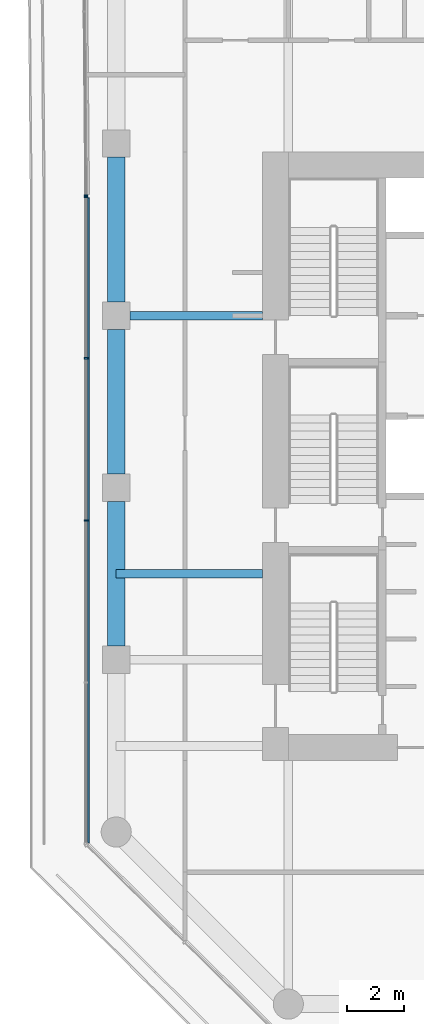
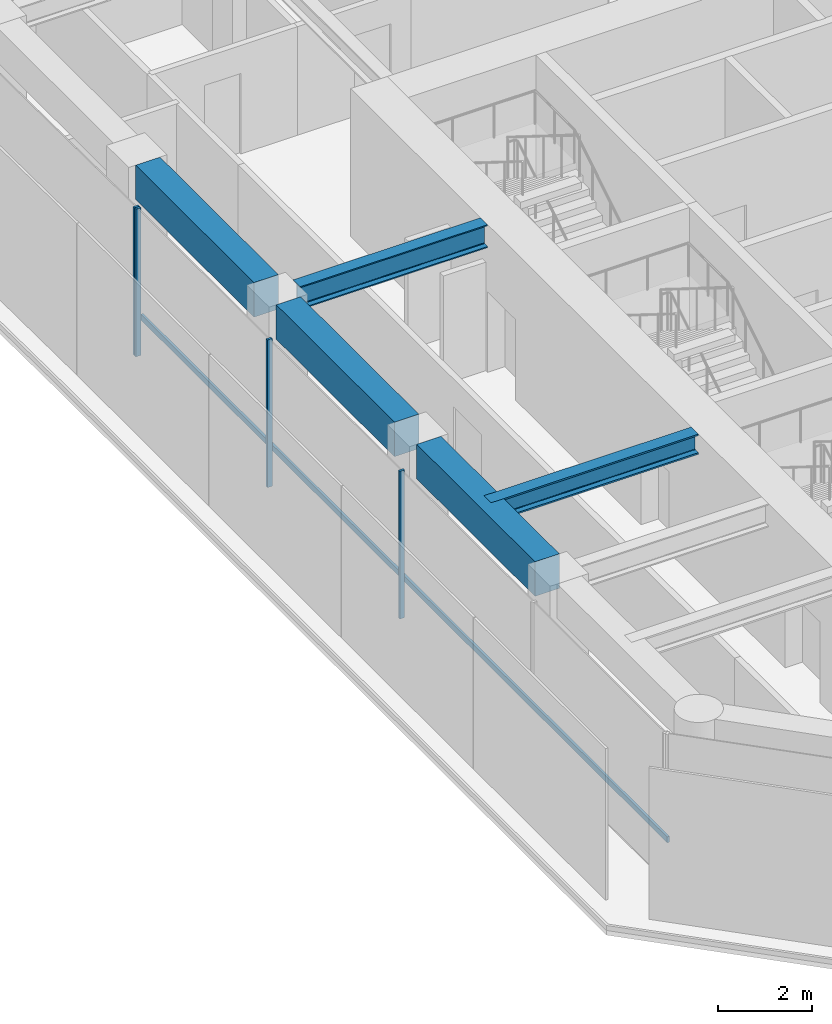
# One storey, part 4 of 28: 5 beams, 5 members, 2 elements without a shape of their own.
"""IFC4 building model written with IfcOpenShell, lengths in metres."""

from ifc_helpers import new_model, si_unit, direction, frame, origin, origin_2d, place, context, subcontext, project, spatial, rectangle, i_section, extrude, material, layer, layer_set, material_profile, profile_set, type_object, element, aggregate, save


model = new_model("IFC4")

# Units and contexts
model_context = context("Model", 3, precision=1e-05, world=origin(), true_north=direction((0.0, 1.0)))
body_context = subcontext(model_context, "Body", "Model", "MODEL_VIEW")
ifc_project = project(units=[si_unit("LENGTHUNIT", "METRE"), si_unit("AREAUNIT", "SQUARE_METRE"), si_unit("VOLUMEUNIT", "CUBIC_METRE"), si_unit("PLANEANGLEUNIT", "RADIAN"), si_unit("MASSUNIT", "GRAM", prefix="KILO")], contexts=[model_context])

# Site, building, storey
site_placement = place(None, origin())
site = spatial("IfcSite", under=ifc_project, at=site_placement, CompositionType="ELEMENT")
building_placement = place(site_placement, origin())
building = spatial("IfcBuilding", under=site, at=building_placement, Name="Welwitschia Terrace Campus", CompositionType="ELEMENT")
storey_placement = place(building_placement, frame((0.0, 0.0, 54.199951171875)))
storey = spatial("IfcBuildingStorey", under=building, at=storey_placement, Name="L12", CompositionType="ELEMENT", Elevation=54.199951171875)

# Beam
ifc_material_1 = material(Name="Steel S355", Category="steel")
ifc_material_profile_1 = material_profile(ifc_material_1, i_section(OverallWidth=0.305908203125, OverallDepth=0.52392578125, WebThickness=0.02099609375, FlangeThickness=0.0400390625, FilletRadius=0.027099609375, at=origin_2d()))
ifc_profile_set_1 = profile_set([ifc_material_profile_1], Name="Steel S355")
beam_type_1 = type_object("IfcBeamType", Name="Interior girder HE 500 M", PredefinedType="BEAM", material=ifc_profile_set_1)
beam_1_placement = place(storey_placement, frame((-0.010009765625, 11.0, 3.588134765625), z_axis=(1.0, 0.0, 0.0), x_axis=(0.0, 1.0, 0.0)))
element("IfcBeam", 1, at=beam_1_placement, inside=storey, type_object=beam_type_1, Name="Girder GB2", PredefinedType="BEAM", context=body_context, shape_type="SweptSolid", body=[
    extrude(i_section(OverallWidth=0.305908203125, OverallDepth=0.52392578125, WebThickness=0.02099609375, FlangeThickness=0.0400390625, FilletRadius=0.027099609375, at=origin_2d()), origin(), (0.0, 0.0, 1.0), 5.109130859375),
])

# Curtain wall, member
ifc_material_2 = material(Name="Bronze anodised aluminium", Category="aluminium")
ifc_layer = layer(ifc_material_2, 0.1201171875)
ifc_layer_set = layer_set([ifc_layer], Name="Bronze anodised aluminium")
curtain_wall_type = type_object("IfcCurtainWallType", Name="Curtain wall CW2 tower 6000", PredefinedType="NOTDEFINED", material=ifc_layer_set)
curtain_wall_1_placement = place(storey_placement, origin())
curtain_wall_1 = element("IfcCurtainWall", 2, at=curtain_wall_1_placement, inside=storey, type_object=curtain_wall_type, Name="CW L12.0.0", PredefinedType="NOTDEFINED")
ifc_material_3 = material(Name="Bronze anodised aluminium", Category="aluminium")
ifc_material_profile_2 = material_profile(ifc_material_3, rectangle(XDim=0.1201171875, YDim=0.06005859375, at=origin_2d()))
ifc_profile_set_2 = profile_set([ifc_material_profile_2], Name="Bronze anodised aluminium")
member_type_1 = type_object("IfcMemberType", Name="Mullion 60x120", PredefinedType="MULLION", material=ifc_profile_set_2)
member_1_placement = place(storey_placement, frame((-1.058349609375, 24.19140625, 0.0), z_axis=(0.0, 0.0, 1.0), x_axis=(0.999961923064, 0.008726535498, 0.0)))
member_1 = element("IfcMember", 3, at=member_1_placement, type_object=member_type_1, Name="Mullion L12.0.0.6", PredefinedType="MULLION", context=body_context, shape_type="SweptSolid", body=[
    extrude(rectangle(XDim=0.1201171875, YDim=0.06005859375, at=origin_2d()), origin(), (0.0, 0.0, 1.0), 3.85009765625),
])
aggregate(curtain_wall_1, [member_1])

# Curtain wall, members
curtain_wall_2_placement = place(storey_placement, origin())
curtain_wall_2 = element("IfcCurtainWall", 4, at=curtain_wall_2_placement, inside=storey, type_object=curtain_wall_type, Name="CW L12.1.0", PredefinedType="NOTDEFINED")
member_2_placement = place(storey_placement, frame((-1.05810546875, 24.131591796875, 0.0), z_axis=(0.0, 0.0, 1.0), x_axis=(1.0, 0.0, 0.0)))
member_2 = element("IfcMember", 5, at=member_2_placement, type_object=member_type_1, Name="Mullion L12.1.0.0", PredefinedType="MULLION", context=body_context, shape_type="SweptSolid", body=[
    extrude(rectangle(XDim=0.1201171875, YDim=0.06005859375, at=origin_2d()), origin(), (0.0, 0.0, 1.0), 3.85009765625),
])
member_3_placement = place(storey_placement, frame((-1.05810546875, 18.511474609375, 0.0), z_axis=(0.0, 0.0, 1.0), x_axis=(1.0, 0.0, 0.0)))
member_3 = element("IfcMember", 6, at=member_3_placement, type_object=member_type_1, Name="Mullion L12.1.0.1", PredefinedType="MULLION", context=body_context, shape_type="SweptSolid", body=[
    extrude(rectangle(XDim=0.1201171875, YDim=0.06005859375, at=origin_2d()), origin(), (0.0, 0.0, 1.0), 3.85009765625),
])
member_4_placement = place(storey_placement, frame((-1.05810546875, 12.861572265625, 0.0), z_axis=(0.0, 0.0, 1.0), x_axis=(1.0, 0.0, 0.0)))
member_4 = element("IfcMember", 7, at=member_4_placement, type_object=member_type_1, Name="Mullion L12.1.0.2", PredefinedType="MULLION", context=body_context, shape_type="SweptSolid", body=[
    extrude(rectangle(XDim=0.1201171875, YDim=0.06005859375, at=origin_2d()), origin(), (0.0, 0.0, 1.0), 3.85009765625),
])

# Beams
ifc_material_4 = material(Name="Steel S355", Category="steel")
ifc_material_profile_3 = material_profile(ifc_material_4, i_section(OverallWidth=0.300048828125, OverallDepth=0.60009765625, WebThickness=0.015380859375, FlangeThickness=0.030029296875, FilletRadius=0.027099609375, at=origin_2d()))
ifc_profile_set_3 = profile_set([ifc_material_profile_3], Name="Steel S355")
beam_type_2 = type_object("IfcBeamType", Name="Primary beam HE 600 B", PredefinedType="BEAM", material=ifc_profile_set_3)
beam_2_placement = place(storey_placement, frame((0.4755859375, 20.0, 3.550048828125), z_axis=(1.0, 0.0, 0.0), x_axis=(0.0, 1.0, 0.0)))
element("IfcBeam", 8, at=beam_2_placement, inside=storey, type_object=beam_type_2, Name="Primary beam PB2", PredefinedType="BEAM", context=body_context, shape_type="SweptSolid", body=[
    extrude(i_section(OverallWidth=0.300048828125, OverallDepth=0.60009765625, WebThickness=0.015380859375, FlangeThickness=0.030029296875, FilletRadius=0.027099609375, at=origin_2d()), origin(), (0.0, 0.0, 1.0), 4.62451171875),
])
ifc_material_5 = material(Name="Concrete C60/75", Category="concrete")
ifc_material_profile_4 = material_profile(ifc_material_5, rectangle(XDim=0.60009765625, YDim=0.89990234375, at=origin_2d()))
ifc_profile_set_4 = profile_set([ifc_material_profile_4], Name="Concrete C60/75")
beam_type_3 = type_object("IfcBeamType", Name="Ring spandrel 600x900", PredefinedType="SPANDREL", material=ifc_profile_set_4)
for number, where, z_axis, x_axis, name in (
    (9, (0.0, 25.5244140625, 3.400146484375), (0.0, -1.0, 0.0), (1.0, 0.0, 0.0), "Spandrel SP2"),
    (10, (0.0, 19.5244140625, 3.400146484375), (0.0, -1.0, 0.0), (1.0, 0.0, 0.0), "Spandrel SP2"),
    (11, (0.0, 13.5244140625, 3.400146484375), (0.0, -1.0, 0.0), (1.0, 0.0, 0.0), "Spandrel SP2"),
):
    element("IfcBeam", number, at=place(storey_placement, frame(where, z_axis=z_axis, x_axis=x_axis)), inside=storey, type_object=beam_type_3, Name=name, PredefinedType="SPANDREL", context=body_context, shape_type="SweptSolid", body=[
        extrude(rectangle(XDim=0.60009765625, YDim=0.89990234375, at=origin_2d()), origin(), (0.0, 0.0, 1.0), 5.048828125),
    ])

# Member
ifc_material_6 = material(Name="Bronze anodised aluminium", Category="aluminium")
ifc_material_profile_5 = material_profile(ifc_material_6, rectangle(XDim=0.06005859375, YDim=0.14990234375, at=origin_2d()))
ifc_profile_set_5 = profile_set([ifc_material_profile_5], Name="Bronze anodised aluminium")
member_type_2 = type_object("IfcMemberType", Name="Transom 60x150", PredefinedType="USERDEFINED", material=ifc_profile_set_5)
member_5_placement = place(storey_placement, frame((-0.968017578125, 24.1015625, 1.0), z_axis=(0.0, -1.0, 0.0), x_axis=(1.0, 0.0, 0.0)))
member_5 = element("IfcMember", 12, at=member_5_placement, type_object=member_type_2, Name="Transom L12.1.0", ObjectType="TRANSOM", PredefinedType="USERDEFINED", context=body_context, shape_type="SweptSolid", body=[
    extrude(rectangle(XDim=0.06005859375, YDim=0.14990234375, at=origin_2d()), origin(), (0.0, 0.0, 1.0), 22.47998046875),
])

aggregate(curtain_wall_2, [member_2, member_3, member_4, member_5])

save(model, "model.ifc")
